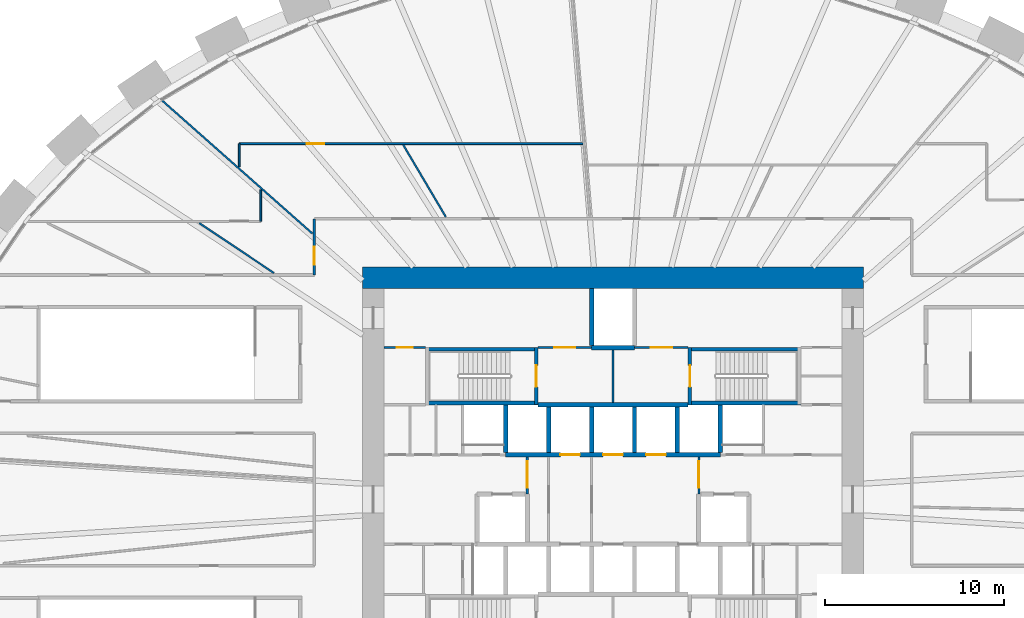
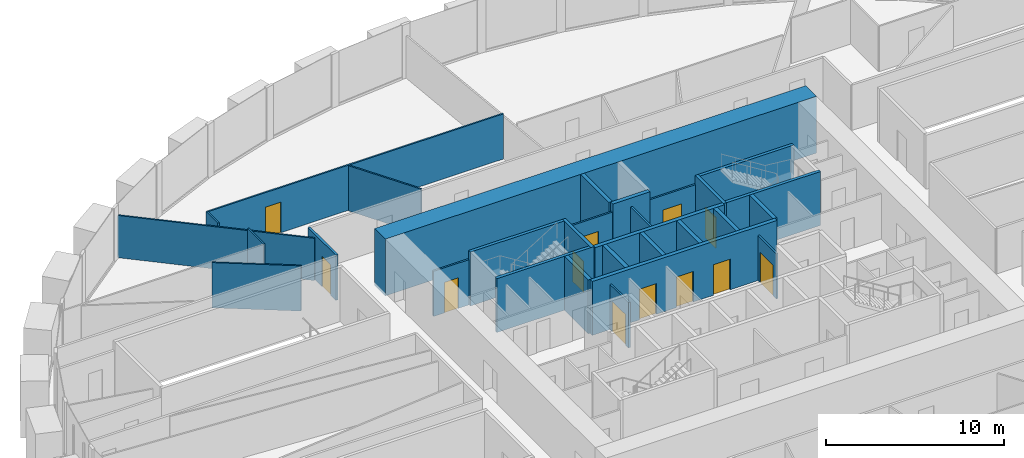
# One storey, part 9 of 12: 30 walls, 12 doors, 12 openings.
"""IFC4 building model written with IfcOpenShell, lengths in metres."""

from ifc_helpers import new_model, si_unit, direction, frame, frame_2d, origin, place, context, subcontext, project, spatial, rectangle, extrude, source, transform, mapped, material, layer, layer_set, type_object, element, fill, save


model = new_model("IFC4")

# Units and contexts
model_context = context("Model", 3, precision=1e-05, world=origin(), true_north=direction((0.0, 1.0)))
body_context = subcontext(model_context, "Body", "Model", "MODEL_VIEW")
ifc_project = project(units=[si_unit("LENGTHUNIT", "METRE"), si_unit("AREAUNIT", "SQUARE_METRE"), si_unit("VOLUMEUNIT", "CUBIC_METRE"), si_unit("PLANEANGLEUNIT", "RADIAN"), si_unit("MASSUNIT", "GRAM", prefix="KILO")], contexts=[model_context])

# Site, building, storey
site_placement = place(None, origin())
site = spatial("IfcSite", under=ifc_project, at=site_placement, CompositionType="ELEMENT")
building_placement = place(site_placement, origin())
building = spatial("IfcBuilding", under=site, at=building_placement, Name="Embergate Tower", CompositionType="ELEMENT")
storey_placement = place(building_placement, frame((0.0, 0.0, 38.0)))
storey = spatial("IfcBuildingStorey", under=building, at=storey_placement, Name="L05", CompositionType="ELEMENT", Elevation=38.0)

# Wall
ifc_material_1 = material(Name="Concrete C80", Category="concrete")
ifc_layer_1 = layer(ifc_material_1, 1.199951171875)
ifc_layer_set_1 = layer_set([ifc_layer_1], Name="Concrete C80")
wall_type_1 = type_object("IfcWallType", Name="Core outer wall C80 1200", PredefinedType="SHEAR", material=ifc_layer_set_1)
shared_shape_1 = source(origin(), body_context, "Body", "SweptSolid", [
    extrude(rectangle(XDim=28.0, YDim=1.199951171875, at=frame_2d((14.0, 0.0))), origin(), (0.0, 0.0, 1.0), 3.89990234375),
])
wall_1_placement = place(storey_placement, frame((-14.0, 12.39990234375, -0.199951171875), z_axis=(0.0, 0.0, 1.0), x_axis=(1.0, 0.0, 0.0)))
element("IfcWall", 1, at=wall_1_placement, inside=storey, type_object=wall_type_1, Name="CW-L05-N", PredefinedType="SHEAR", context=body_context, shape_type="MappedRepresentation", body=[
    mapped(shared_shape_1, transform((0.0, 0.0, 0.0))),
])

# Wall, opening, door
ifc_material_2 = material(Name="Corridor wall dry-lined 150")
ifc_layer_2 = layer(ifc_material_2, 0.14990234375)
ifc_layer_set_2 = layer_set([ifc_layer_2], Name="Corridor wall dry-lined 150")
wall_type_2 = type_object("IfcWallType", Name="Corridor wall dry-lined 150", PredefinedType="PARTITIONING", material=ifc_layer_set_2)
shared_shape_2 = source(origin(), body_context, "Body", "SweptSolid", [
    extrude(rectangle(XDim=3.14990234375, YDim=0.14990234375, at=frame_2d((1.574951171875, 0.0))), origin(), (0.0, 0.0, 1.0), 3.10009765625),
])
wall_2_placement = place(storey_placement, frame((-16.699951171875, 12.550048828125, 0.0), z_axis=(0.0, 0.0, 1.0), x_axis=(0.0, 1.0, 0.0)))
wall_2 = element("IfcWall", 2, at=wall_2_placement, inside=storey, type_object=wall_type_2, Name="IP-2 wall", PredefinedType="PARTITIONING", context=body_context, shape_type="MappedRepresentation", body=[
    mapped(shared_shape_2, transform((0.0, 0.0, 0.0))),
])
shared_shape_3 = source(origin(), body_context, "Body", "SweptSolid", [
    extrude(rectangle(XDim=1.0, YDim=2.10009765625, at=frame_2d((0.5, 1.050048828125))), frame((0.0, 0.0849609375, 0.0), z_axis=(0.0, -1.0, 0.0), x_axis=(1.0, 0.0, 0.0)), (0.0, 0.0, 1.0), 0.169921875),
])
opening_1_placement = place(wall_2_placement, frame((0.587890625, 0.0, 0.0)))
opening_1 = element("IfcOpeningElement", 3, at=opening_1_placement, cuts=wall_2, Name="Opening ID-2", PredefinedType="OPENING", context=body_context, shape_type="MappedRepresentation", body=[
    mapped(shared_shape_3, transform((0.0, 0.0, 0.0))),
])
ifc_material_3 = material(Name="Interior door 1000")
door_type_1 = type_object("IfcDoorType", Name="Interior door 1000", OperationType="SINGLE_SWING_LEFT", PredefinedType="DOOR", material=ifc_material_3)
shared_shape_4 = source(origin(), body_context, "Body", "SweptSolid", [
    extrude(rectangle(XDim=1.0, YDim=2.10009765625, at=frame_2d((0.5, 1.050048828125))), frame((0.0, 0.02490234375, 0.0), z_axis=(0.0, -1.0, 0.0), x_axis=(1.0, 0.0, 0.0)), (0.0, 0.0, 1.0), 0.050048828125),
])
door_1_placement = place(opening_1_placement, origin())
door_1 = element("IfcDoor", 4, at=door_1_placement, inside=storey, type_object=door_type_1, Name="ID-2 door", OperationType="SINGLE_SWING_LEFT", OverallHeight=2.10009765625, OverallWidth=1.0, PredefinedType="DOOR", context=body_context, shape_type="MappedRepresentation", body=[
    mapped(shared_shape_4, transform((0.0, 0.0, 0.0))),
])
fill(opening_1, door_1)

# Wall
ifc_material_4 = material(Name="Partition dry-lined 100")
ifc_layer_3 = layer(ifc_material_4, 0.10009765625)
ifc_layer_set_3 = layer_set([ifc_layer_3], Name="Partition dry-lined 100")
wall_type_3 = type_object("IfcWallType", Name="Partition dry-lined 100", PredefinedType="PARTITIONING", material=ifc_layer_set_3)
shared_shape_5 = source(origin(), body_context, "Body", "SweptSolid", [
    extrude(rectangle(XDim=4.676513671875, YDim=0.10009765625, at=frame_2d((2.33837890625, 0.0))), origin(), (0.0, 0.0, 1.0), 3.10009765625),
])
wall_3_placement = place(storey_placement, frame((-9.347900390625, 15.800048828125, 0.0), z_axis=(0.0, 0.0, 1.0), x_axis=(-0.509165443029, 0.860668665414, 0.0)))
element("IfcWall", 5, at=wall_3_placement, inside=storey, type_object=wall_type_3, Name="IP-1 wall", PredefinedType="PARTITIONING", context=body_context, shape_type="MappedRepresentation", body=[
    mapped(shared_shape_5, transform((0.0, 0.0, 0.0))),
])

# Wall, opening, door
shared_shape_6 = source(origin(), body_context, "Body", "SweptSolid", [
    extrude(rectangle(XDim=19.223876953125, YDim=0.10009765625, at=frame_2d((9.61181640625, 0.0))), origin(), (0.0, 0.0, 1.0), 3.10009765625),
])
wall_4_placement = place(storey_placement, frame((-1.676025390625, 19.89990234375, 0.0), z_axis=(0.0, 0.0, 1.0), x_axis=(-1.0, 0.0, 0.0)))
wall_4 = element("IfcWall", 6, at=wall_4_placement, inside=storey, type_object=wall_type_3, Name="IP-1 wall", PredefinedType="PARTITIONING", context=body_context, shape_type="MappedRepresentation", body=[
    mapped(shared_shape_6, transform((0.0, 0.0, 0.0))),
])
shared_shape_7 = source(origin(), body_context, "Body", "SweptSolid", [
    extrude(rectangle(XDim=1.0, YDim=2.10009765625, at=frame_2d((0.5, 1.050048828125))), frame((0.0, 0.06005859375, 0.0), z_axis=(0.0, -1.0, 0.0), x_axis=(1.0, 0.0, 0.0)), (0.0, 0.0, 1.0), 0.1201171875),
])
opening_2_placement = place(wall_4_placement, frame((14.4619140625, 0.0, 0.0)))
opening_2 = element("IfcOpeningElement", 7, at=opening_2_placement, cuts=wall_4, Name="Opening ID-2", PredefinedType="OPENING", context=body_context, shape_type="MappedRepresentation", body=[
    mapped(shared_shape_7, transform((0.0, 0.0, 0.0))),
])
door_2_placement = place(opening_2_placement, origin())
door_2 = element("IfcDoor", 8, at=door_2_placement, inside=storey, type_object=door_type_1, Name="ID-2 door", OperationType="SINGLE_SWING_LEFT", OverallHeight=2.10009765625, OverallWidth=1.0, PredefinedType="DOOR", context=body_context, shape_type="MappedRepresentation", body=[
    mapped(shared_shape_4, transform((0.0, 0.0, 0.0))),
])
fill(opening_2, door_2)

# Walls
shared_shape_8 = source(origin(), body_context, "Body", "SweptSolid", [
    extrude(rectangle(XDim=1.2958984375, YDim=0.10009765625, at=frame_2d((0.64794921875, 0.0))), origin(), (0.0, 0.0, 1.0), 3.10009765625),
])
wall_5_placement = place(storey_placement, frame((-20.89990234375, 18.60400390625, 0.0), z_axis=(0.0, 0.0, 1.0), x_axis=(0.0, 1.0, 0.0)))
element("IfcWall", 9, at=wall_5_placement, inside=storey, type_object=wall_type_3, Name="IP-1 wall", PredefinedType="PARTITIONING", context=body_context, shape_type="MappedRepresentation", body=[
    mapped(shared_shape_8, transform((0.0, 0.0, 0.0))),
])
shared_shape_9 = source(origin(), body_context, "Body", "SweptSolid", [
    extrude(rectangle(XDim=11.294921875, YDim=0.10009765625, at=frame_2d((5.6474609375, 0.0))), origin(), (0.0, 0.0, 1.0), 2.89990234375),
])
wall_6_placement = place(storey_placement, frame((-25.26708984375, 22.35693359375, 0.0), z_axis=(0.0, 0.0, 1.0), x_axis=(0.748912392945, -0.662669018209, 0.0)))
element("IfcWall", 10, at=wall_6_placement, inside=storey, type_object=wall_type_3, Name="IP-1 wall", PredefinedType="PARTITIONING", context=body_context, shape_type="MappedRepresentation", body=[
    mapped(shared_shape_9, transform((0.0, 0.0, 0.0))),
])
shared_shape_10 = source(origin(), body_context, "Body", "SweptSolid", [
    extrude(rectangle(XDim=5.025390625, YDim=0.10009765625, at=frame_2d((2.5126953125, 0.0))), origin(), (0.0, 0.0, 1.0), 3.10009765625),
])
wall_7_placement = place(storey_placement, frame((-18.9599609375, 12.6669921875, 0.0), z_axis=(0.0, 0.0, 1.0), x_axis=(-0.83158660171, 0.555395106079, 0.0)))
element("IfcWall", 11, at=wall_7_placement, inside=storey, type_object=wall_type_3, Name="IP-1 wall", PredefinedType="PARTITIONING", context=body_context, shape_type="MappedRepresentation", body=[
    mapped(shared_shape_10, transform((0.0, 0.0, 0.0))),
])
shared_shape_11 = source(origin(), body_context, "Body", "SweptSolid", [
    extrude(rectangle(XDim=1.77001953125, YDim=0.10009765625, at=frame_2d((0.885009765625, 0.0))), origin(), (0.0, 0.0, 1.0), 3.10009765625),
])
wall_8_placement = place(storey_placement, frame((-19.699951171875, 15.550048828125, 0.0), z_axis=(0.0, 0.0, 1.0), x_axis=(0.0, 1.0, 0.0)))
element("IfcWall", 12, at=wall_8_placement, inside=storey, type_object=wall_type_3, Name="IP-1 wall", PredefinedType="PARTITIONING", context=body_context, shape_type="MappedRepresentation", body=[
    mapped(shared_shape_11, transform((0.0, 0.0, 0.0))),
])
ifc_material_5 = material(Name="Concrete C50", Category="concrete")
ifc_layer_4 = layer(ifc_material_5, 0.25)
ifc_layer_set_4 = layer_set([ifc_layer_4], Name="Concrete C50")
wall_type_4 = type_object("IfcWallType", Name="Hoistway wall reinforced concrete 250", PredefinedType="SHEAR", material=ifc_layer_set_4)
shared_shape_12 = source(origin(), body_context, "Body", "SweptSolid", [
    extrude(rectangle(XDim=2.675048828125, YDim=0.25, at=frame_2d((1.33740234375, 0.0))), origin(), (0.0, 0.0, 1.0), 3.699951171875),
])
for number, where, z_axis, x_axis, name in (
    (13, (-6.0, 2.625, 0.0), (0.0, 0.0, 1.0), (0.0, 1.0, 0.0), "HW-1 wall"),
    (14, (6.0, 2.625, 0.0), (0.0, 0.0, 1.0), (0.0, 1.0, 0.0), "HW-1 wall"),
):
    element("IfcWall", number, at=place(storey_placement, frame(where, z_axis=z_axis, x_axis=x_axis)), inside=storey, type_object=wall_type_4, Name=name, PredefinedType="SHEAR", context=body_context, shape_type="MappedRepresentation", body=[
        mapped(shared_shape_12, transform((0.0, 0.0, 0.0))),
    ])
ifc_layer_5 = layer(ifc_material_5, 0.199951171875)
ifc_layer_set_5 = layer_set([ifc_layer_5], Name="Concrete C50")
wall_type_5 = type_object("IfcWallType", Name="Stair enclosure wall reinforced concrete 250", PredefinedType="SHEAR", material=ifc_layer_set_5)
shared_shape_13 = source(origin(), body_context, "Body", "SweptSolid", [
    extrude(rectangle(XDim=6.300048828125, YDim=0.199951171875, at=frame_2d((3.14990234375, 0.0))), origin(), (0.0, 0.0, 1.0), 3.699951171875),
])
for number, where, z_axis, x_axis, name in (
    (15, (-4.199951171875, 5.39990234375, 0.0), (0.0, 0.0, 1.0), (-1.0, 0.0, 0.0), "SE-1 wall"),
    (16, (10.5, 5.39990234375, 0.0), (0.0, 0.0, 1.0), (-1.0, 0.0, 0.0), "SE-1 wall"),
    (17, (-4.199951171875, 8.39990234375, 0.0), (0.0, 0.0, 1.0), (-1.0, 0.0, 0.0), "SE-1 wall"),
    (18, (10.5, 8.39990234375, 0.0), (0.0, 0.0, 1.0), (-1.0, 0.0, 0.0), "SE-1 wall"),
):
    element("IfcWall", number, at=place(storey_placement, frame(where, z_axis=z_axis, x_axis=x_axis)), inside=storey, type_object=wall_type_5, Name=name, PredefinedType="SHEAR", context=body_context, shape_type="MappedRepresentation", body=[
        mapped(shared_shape_13, transform((0.0, 0.0, 0.0))),
    ])
shared_shape_14 = source(origin(), body_context, "Body", "SweptSolid", [
    extrude(rectangle(XDim=2.550048828125, YDim=0.25, at=frame_2d((1.27490234375, 0.0))), origin(), (0.0, 0.0, 1.0), 3.699951171875),
])
for number, where, z_axis, x_axis, name in (
    (19, (-3.60009765625, 2.625, 0.0), (0.0, 0.0, 1.0), (0.0, 1.0, 0.0), "HW-1 wall"),
    (20, (-1.199951171875, 2.625, 0.0), (0.0, 0.0, 1.0), (0.0, 1.0, 0.0), "HW-1 wall"),
    (21, (1.199951171875, 2.625, 0.0), (0.0, 0.0, 1.0), (0.0, 1.0, 0.0), "HW-1 wall"),
    (22, (3.60009765625, 2.625, 0.0), (0.0, 0.0, 1.0), (0.0, 1.0, 0.0), "HW-1 wall"),
):
    element("IfcWall", number, at=place(storey_placement, frame(where, z_axis=z_axis, x_axis=x_axis)), inside=storey, type_object=wall_type_4, Name=name, PredefinedType="SHEAR", context=body_context, shape_type="MappedRepresentation", body=[
        mapped(shared_shape_14, transform((0.0, 0.0, 0.0))),
    ])

# Wall, openings, doors
shared_shape_15 = source(origin(), body_context, "Body", "SweptSolid", [
    extrude(rectangle(XDim=12.0, YDim=0.25, at=frame_2d((6.0, 0.0))), origin(), (0.0, 0.0, 1.0), 3.699951171875),
])
wall_9_placement = place(storey_placement, frame((-6.0, 2.5, 0.0), z_axis=(0.0, 0.0, 1.0), x_axis=(1.0, 0.0, 0.0)))
wall_9 = element("IfcWall", 23, at=wall_9_placement, inside=storey, type_object=wall_type_4, Name="HW-1 wall", PredefinedType="SHEAR", context=body_context, shape_type="MappedRepresentation", body=[
    mapped(shared_shape_15, transform((0.0, 0.0, 0.0))),
])
shared_shape_16 = source(origin(), body_context, "Body", "SweptSolid", [
    extrude(rectangle(XDim=1.10009765625, YDim=2.10009765625, at=frame_2d((0.550048828125, 1.050048828125))), frame((0.0, 0.135009765625, 0.0), z_axis=(0.0, -1.0, 0.0), x_axis=(1.0, 0.0, 0.0)), (0.0, 0.0, 1.0), 0.27001953125),
])
opening_3_placement = place(wall_9_placement, frame((3.050048828125, 0.0, 0.0)))
opening_3 = element("IfcOpeningElement", 24, at=opening_3_placement, cuts=wall_9, Name="Opening LD", PredefinedType="OPENING", context=body_context, shape_type="MappedRepresentation", body=[
    mapped(shared_shape_16, transform((0.0, 0.0, 0.0))),
])
opening_4_placement = place(wall_9_placement, frame((5.449951171875, 0.0, 0.0)))
opening_4 = element("IfcOpeningElement", 25, at=opening_4_placement, cuts=wall_9, Name="Opening LD", PredefinedType="OPENING", context=body_context, shape_type="MappedRepresentation", body=[
    mapped(shared_shape_16, transform((0.0, 0.0, 0.0))),
])
opening_5_placement = place(wall_9_placement, frame((7.85009765625, 0.0, 0.0)))
opening_5 = element("IfcOpeningElement", 26, at=opening_5_placement, cuts=wall_9, Name="Opening LD", PredefinedType="OPENING", context=body_context, shape_type="MappedRepresentation", body=[
    mapped(shared_shape_16, transform((0.0, 0.0, 0.0))),
])
ifc_material_6 = material(Name="Landing door sliding 1100")
door_type_2 = type_object("IfcDoorType", Name="Landing door sliding 1100", OperationType="SLIDING_TO_LEFT", PredefinedType="DOOR", material=ifc_material_6)
shared_shape_17 = source(origin(), body_context, "Body", "SweptSolid", [
    extrude(rectangle(XDim=1.10009765625, YDim=2.10009765625, at=frame_2d((0.550048828125, 1.050048828125))), frame((0.0, 0.02490234375, 0.0), z_axis=(0.0, -1.0, 0.0), x_axis=(1.0, 0.0, 0.0)), (0.0, 0.0, 1.0), 0.050048828125),
])
door_3_placement = place(opening_3_placement, origin())
door_3 = element("IfcDoor", 27, at=door_3_placement, inside=storey, type_object=door_type_2, Name="LD door", OperationType="SLIDING_TO_RIGHT", OverallHeight=2.10009765625, OverallWidth=1.10009765625, PredefinedType="DOOR", context=body_context, shape_type="MappedRepresentation", body=[
    mapped(shared_shape_17, transform((0.0, 0.0, 0.0))),
])
fill(opening_3, door_3)
door_4_placement = place(opening_4_placement, origin())
door_4 = element("IfcDoor", 28, at=door_4_placement, inside=storey, type_object=door_type_2, Name="LD door", OperationType="SLIDING_TO_RIGHT", OverallHeight=2.10009765625, OverallWidth=1.10009765625, PredefinedType="DOOR", context=body_context, shape_type="MappedRepresentation", body=[
    mapped(shared_shape_17, transform((0.0, 0.0, 0.0))),
])
fill(opening_4, door_4)
door_5_placement = place(opening_5_placement, origin())
door_5 = element("IfcDoor", 29, at=door_5_placement, inside=storey, type_object=door_type_2, Name="LD door", OperationType="SLIDING_TO_RIGHT", OverallHeight=2.10009765625, OverallWidth=1.10009765625, PredefinedType="DOOR", context=body_context, shape_type="MappedRepresentation", body=[
    mapped(shared_shape_17, transform((0.0, 0.0, 0.0))),
])
fill(opening_5, door_5)

# Wall
shared_shape_18 = source(origin(), body_context, "Body", "SweptSolid", [
    extrude(rectangle(XDim=8.39990234375, YDim=0.25, at=frame_2d((4.199951171875, 0.0))), origin(), (0.0, 0.0, 1.0), 3.699951171875),
])
wall_10_placement = place(storey_placement, frame((4.199951171875, 5.300048828125, 0.0), z_axis=(0.0, 0.0, 1.0), x_axis=(-1.0, 0.0, 0.0)))
element("IfcWall", 30, at=wall_10_placement, inside=storey, type_object=wall_type_4, Name="HW-1 wall", PredefinedType="SHEAR", context=body_context, shape_type="MappedRepresentation", body=[
    mapped(shared_shape_18, transform((0.0, 0.0, 0.0))),
])

# Wall, opening, door
ifc_material_7 = material(Name="Core partition blockwork 120")
ifc_layer_6 = layer(ifc_material_7, 0.1201171875)
ifc_layer_set_6 = layer_set([ifc_layer_6], Name="Core partition blockwork 120")
wall_type_6 = type_object("IfcWallType", Name="Core partition blockwork 120", PredefinedType="PARTITIONING", material=ifc_layer_set_6)
shared_shape_19 = source(origin(), body_context, "Body", "SweptSolid", [
    extrude(rectangle(XDim=2.074951171875, YDim=0.1201171875, at=frame_2d((1.03759765625, 0.0))), origin(), (0.0, 0.0, 1.0), 3.10009765625),
])
wall_11_placement = place(storey_placement, frame((-4.800048828125, 2.375, 0.0), z_axis=(0.0, 0.0, 1.0), x_axis=(0.0, -1.0, 0.0)))
wall_11 = element("IfcWall", 31, at=wall_11_placement, inside=storey, type_object=wall_type_6, Name="IP-3 wall", PredefinedType="PARTITIONING", context=body_context, shape_type="MappedRepresentation", body=[
    mapped(shared_shape_19, transform((0.0, 0.0, 0.0))),
])
shared_shape_20 = source(origin(), body_context, "Body", "SweptSolid", [
    extrude(rectangle(XDim=1.5, YDim=2.10009765625, at=frame_2d((0.75, 1.050048828125))), frame((0.0, 0.070068359375, 0.0), z_axis=(0.0, -1.0, 0.0), x_axis=(1.0, 0.0, 0.0)), (0.0, 0.0, 1.0), 0.14013671875),
])
opening_6_placement = place(wall_11_placement, frame((0.22509765625, 0.0, 0.0)))
opening_6 = element("IfcOpeningElement", 32, at=opening_6_placement, cuts=wall_11, Name="Opening IF-3", PredefinedType="OPENING", context=body_context, shape_type="MappedRepresentation", body=[
    mapped(shared_shape_20, transform((0.0, 0.0, 0.0))),
])
ifc_material_8 = material(Name="Lobby fire door pair 1500")
door_type_3 = type_object("IfcDoorType", Name="Lobby fire door pair 1500", OperationType="DOUBLE_DOOR_SINGLE_SWING", PredefinedType="DOOR", material=ifc_material_8)
shared_shape_21 = source(origin(), body_context, "Body", "SweptSolid", [
    extrude(rectangle(XDim=1.5, YDim=2.10009765625, at=frame_2d((0.75, 1.050048828125))), frame((0.0, 0.02490234375, 0.0), z_axis=(0.0, -1.0, 0.0), x_axis=(1.0, 0.0, 0.0)), (0.0, 0.0, 1.0), 0.050048828125),
])
door_6_placement = place(opening_6_placement, origin())
door_6 = element("IfcDoor", 33, at=door_6_placement, inside=storey, type_object=door_type_3, Name="IF-3 door", OperationType="DOUBLE_DOOR_SINGLE_SWING", OverallHeight=2.10009765625, OverallWidth=1.5, PredefinedType="DOOR", context=body_context, shape_type="MappedRepresentation", body=[
    mapped(shared_shape_21, transform((0.0, 0.0, 0.0))),
])
fill(opening_6, door_6)

wall_12_placement = place(storey_placement, frame((4.800048828125, 0.300048828125, 0.0), z_axis=(0.0, 0.0, 1.0), x_axis=(0.0, 1.0, 0.0)))
wall_12 = element("IfcWall", 34, at=wall_12_placement, inside=storey, type_object=wall_type_6, Name="IP-3 wall", PredefinedType="PARTITIONING", context=body_context, shape_type="MappedRepresentation", body=[
    mapped(shared_shape_19, transform((0.0, 0.0, 0.0))),
])
opening_7_placement = place(wall_12_placement, frame((0.35009765625, 0.0, 0.0)))
opening_7 = element("IfcOpeningElement", 35, at=opening_7_placement, cuts=wall_12, Name="Opening IF-3", PredefinedType="OPENING", context=body_context, shape_type="MappedRepresentation", body=[
    mapped(shared_shape_20, transform((0.0, 0.0, 0.0))),
])
door_7_placement = place(opening_7_placement, origin())
door_7 = element("IfcDoor", 36, at=door_7_placement, inside=storey, type_object=door_type_3, Name="IF-3 door", OperationType="DOUBLE_DOOR_SINGLE_SWING", OverallHeight=2.10009765625, OverallWidth=1.5, PredefinedType="DOOR", context=body_context, shape_type="MappedRepresentation", body=[
    mapped(shared_shape_21, transform((0.0, 0.0, 0.0))),
])
fill(opening_7, door_7)

shared_shape_22 = source(origin(), body_context, "Body", "SweptSolid", [
    extrude(rectangle(XDim=3.199951171875, YDim=0.199951171875, at=frame_2d((1.60009765625, 0.0))), origin(), (0.0, 0.0, 1.0), 3.699951171875),
])
wall_13_placement = place(storey_placement, frame((-4.300048828125, 5.300048828125, 0.0), z_axis=(0.0, 0.0, 1.0), x_axis=(0.0, 1.0, 0.0)))
wall_13 = element("IfcWall", 37, at=wall_13_placement, inside=storey, type_object=wall_type_5, Name="SE-1 wall", PredefinedType="SHEAR", context=body_context, shape_type="MappedRepresentation", body=[
    mapped(shared_shape_22, transform((0.0, 0.0, 0.0))),
])
shared_shape_23 = source(origin(), body_context, "Body", "SweptSolid", [
    extrude(rectangle(XDim=1.199951171875, YDim=2.10009765625, at=frame_2d((0.60009765625, 1.050048828125))), frame((0.0, 0.10986328125, 0.0), z_axis=(0.0, -1.0, 0.0), x_axis=(1.0, 0.0, 0.0)), (0.0, 0.0, 1.0), 0.219970703125),
])
opening_8_placement = place(wall_13_placement, frame((1.0, 0.0, 0.0)))
opening_8 = element("IfcOpeningElement", 38, at=opening_8_placement, cuts=wall_13, Name="Opening IF-2", PredefinedType="OPENING", context=body_context, shape_type="MappedRepresentation", body=[
    mapped(shared_shape_23, transform((0.0, 0.0, 0.0))),
])
ifc_material_9 = material(Name="Stair enclosure door 1200")
door_type_4 = type_object("IfcDoorType", Name="Stair enclosure door 1200", OperationType="SINGLE_SWING_LEFT", PredefinedType="DOOR", material=ifc_material_9)
shared_shape_24 = source(origin(), body_context, "Body", "SweptSolid", [
    extrude(rectangle(XDim=1.199951171875, YDim=2.10009765625, at=frame_2d((0.60009765625, 1.050048828125))), frame((0.0, 0.02490234375, 0.0), z_axis=(0.0, -1.0, 0.0), x_axis=(1.0, 0.0, 0.0)), (0.0, 0.0, 1.0), 0.050048828125),
])
door_8_placement = place(opening_8_placement, origin())
door_8 = element("IfcDoor", 39, at=door_8_placement, inside=storey, type_object=door_type_4, Name="IF-2 door", OperationType="SINGLE_SWING_RIGHT", OverallHeight=2.10009765625, OverallWidth=1.199951171875, PredefinedType="DOOR", context=body_context, shape_type="MappedRepresentation", body=[
    mapped(shared_shape_24, transform((0.0, 0.0, 0.0))),
])
fill(opening_8, door_8)

wall_14_placement = place(storey_placement, frame((4.300048828125, 8.5, 0.0), z_axis=(0.0, 0.0, 1.0), x_axis=(0.0, -1.0, 0.0)))
wall_14 = element("IfcWall", 40, at=wall_14_placement, inside=storey, type_object=wall_type_5, Name="SE-1 wall", PredefinedType="SHEAR", context=body_context, shape_type="MappedRepresentation", body=[
    mapped(shared_shape_22, transform((0.0, 0.0, 0.0))),
])
opening_9_placement = place(wall_14_placement, frame((1.0, 0.0, 0.0)))
opening_9 = element("IfcOpeningElement", 41, at=opening_9_placement, cuts=wall_14, Name="Opening IF-2", PredefinedType="OPENING", context=body_context, shape_type="MappedRepresentation", body=[
    mapped(shared_shape_23, transform((0.0, 0.0, 0.0))),
])
door_9_placement = place(opening_9_placement, origin())
door_9 = element("IfcDoor", 42, at=door_9_placement, inside=storey, type_object=door_type_4, Name="IF-2 door", OperationType="SINGLE_SWING_LEFT", OverallHeight=2.10009765625, OverallWidth=1.199951171875, PredefinedType="DOOR", context=body_context, shape_type="MappedRepresentation", body=[
    mapped(shared_shape_24, transform((0.0, 0.0, 0.0))),
])
fill(opening_9, door_9)

# Wall
shared_shape_25 = source(origin(), body_context, "Body", "SweptSolid", [
    extrude(rectangle(XDim=2.949951171875, YDim=0.1201171875, at=frame_2d((1.47509765625, 0.0))), origin(), (0.0, 0.0, 1.0), 3.10009765625),
])
wall_15_placement = place(storey_placement, frame((0.0, 5.425048828125, 0.0), z_axis=(0.0, 0.0, 1.0), x_axis=(0.0, 1.0, 0.0)))
element("IfcWall", 43, at=wall_15_placement, inside=storey, type_object=wall_type_6, Name="IP-3 wall", PredefinedType="PARTITIONING", context=body_context, shape_type="MappedRepresentation", body=[
    mapped(shared_shape_25, transform((0.0, 0.0, 0.0))),
])

# Wall, opening, door
shared_shape_26 = source(origin(), body_context, "Body", "SweptSolid", [
    extrude(rectangle(XDim=3.0, YDim=0.1201171875, at=frame_2d((1.5, 0.0))), origin(), (0.0, 0.0, 1.0), 3.10009765625),
])
wall_16_placement = place(storey_placement, frame((-1.199951171875, 8.5, 0.0), z_axis=(0.0, 0.0, 1.0), x_axis=(-1.0, 0.0, 0.0)))
wall_16 = element("IfcWall", 44, at=wall_16_placement, inside=storey, type_object=wall_type_6, Name="IP-3 wall", PredefinedType="PARTITIONING", context=body_context, shape_type="MappedRepresentation", body=[
    mapped(shared_shape_26, transform((0.0, 0.0, 0.0))),
])
shared_shape_27 = source(origin(), body_context, "Body", "SweptSolid", [
    extrude(rectangle(XDim=1.199951171875, YDim=2.10009765625, at=frame_2d((0.60009765625, 1.050048828125))), frame((0.0, 0.070068359375, 0.0), z_axis=(0.0, -1.0, 0.0), x_axis=(1.0, 0.0, 0.0)), (0.0, 0.0, 1.0), 0.14013671875),
])
opening_10_placement = place(wall_16_placement, frame((0.89990234375, 0.0, 0.0)))
opening_10 = element("IfcOpeningElement", 45, at=opening_10_placement, cuts=wall_16, Name="Opening IF-3f", PredefinedType="OPENING", context=body_context, shape_type="MappedRepresentation", body=[
    mapped(shared_shape_27, transform((0.0, 0.0, 0.0))),
])
ifc_material_10 = material(Name="Lobby fire door pair 1200")
door_type_5 = type_object("IfcDoorType", Name="Lobby fire door pair 1200", OperationType="DOUBLE_DOOR_SINGLE_SWING", PredefinedType="DOOR", material=ifc_material_10)
door_10_placement = place(opening_10_placement, origin())
door_10 = element("IfcDoor", 46, at=door_10_placement, inside=storey, type_object=door_type_5, Name="IF-3 door", OperationType="DOUBLE_DOOR_SINGLE_SWING", OverallHeight=2.10009765625, OverallWidth=1.199951171875, PredefinedType="DOOR", context=body_context, shape_type="MappedRepresentation", body=[
    mapped(shared_shape_24, transform((0.0, 0.0, 0.0))),
])
fill(opening_10, door_10)

wall_17_placement = place(storey_placement, frame((4.199951171875, 8.5, 0.0), z_axis=(0.0, 0.0, 1.0), x_axis=(-1.0, 0.0, 0.0)))
wall_17 = element("IfcWall", 47, at=wall_17_placement, inside=storey, type_object=wall_type_6, Name="IP-3 wall", PredefinedType="PARTITIONING", context=body_context, shape_type="MappedRepresentation", body=[
    mapped(shared_shape_26, transform((0.0, 0.0, 0.0))),
])
opening_11_placement = place(wall_17_placement, frame((0.89990234375, 0.0, 0.0)))
opening_11 = element("IfcOpeningElement", 48, at=opening_11_placement, cuts=wall_17, Name="Opening IF-3f", PredefinedType="OPENING", context=body_context, shape_type="MappedRepresentation", body=[
    mapped(shared_shape_27, transform((0.0, 0.0, 0.0))),
])
door_11_placement = place(opening_11_placement, origin())
door_11 = element("IfcDoor", 49, at=door_11_placement, inside=storey, type_object=door_type_5, Name="IF-3 door", OperationType="DOUBLE_DOOR_SINGLE_SWING", OverallHeight=2.10009765625, OverallWidth=1.199951171875, PredefinedType="DOOR", context=body_context, shape_type="MappedRepresentation", body=[
    mapped(shared_shape_24, transform((0.0, 0.0, 0.0))),
])
fill(opening_11, door_11)

# Walls
shared_shape_28 = source(origin(), body_context, "Body", "SweptSolid", [
    extrude(rectangle(XDim=2.39990234375, YDim=0.25, at=frame_2d((1.199951171875, 0.0))), origin(), (0.0, 0.0, 1.0), 3.699951171875),
])
wall_18_placement = place(storey_placement, frame((1.199951171875, 8.5, 0.0), z_axis=(0.0, 0.0, 1.0), x_axis=(-1.0, 0.0, 0.0)))
element("IfcWall", 50, at=wall_18_placement, inside=storey, type_object=wall_type_4, Name="HW-1 wall", PredefinedType="SHEAR", context=body_context, shape_type="MappedRepresentation", body=[
    mapped(shared_shape_28, transform((0.0, 0.0, 0.0))),
])
shared_shape_29 = source(origin(), body_context, "Body", "SweptSolid", [
    extrude(rectangle(XDim=3.175048828125, YDim=0.25, at=frame_2d((1.58740234375, 0.0))), origin(), (0.0, 0.0, 1.0), 3.699951171875),
])
wall_19_placement = place(storey_placement, frame((-1.199951171875, 8.625, 0.0), z_axis=(0.0, 0.0, 1.0), x_axis=(0.0, 1.0, 0.0)))
element("IfcWall", 51, at=wall_19_placement, inside=storey, type_object=wall_type_4, Name="HW-1 wall", PredefinedType="SHEAR", context=body_context, shape_type="MappedRepresentation", body=[
    mapped(shared_shape_29, transform((0.0, 0.0, 0.0))),
])

# Wall, opening, door
shared_shape_30 = source(origin(), body_context, "Body", "SweptSolid", [
    extrude(rectangle(XDim=2.300048828125, YDim=0.1201171875, at=frame_2d((1.14990234375, 0.0))), origin(), (0.0, 0.0, 1.0), 3.10009765625),
])
wall_20_placement = place(storey_placement, frame((-12.800048828125, 8.5, 0.0), z_axis=(0.0, 0.0, 1.0), x_axis=(1.0, 0.0, 0.0)))
wall_20 = element("IfcWall", 52, at=wall_20_placement, inside=storey, type_object=wall_type_6, Name="IP-3 wall", PredefinedType="PARTITIONING", context=body_context, shape_type="MappedRepresentation", body=[
    mapped(shared_shape_30, transform((0.0, 0.0, 0.0))),
])
shared_shape_31 = source(origin(), body_context, "Body", "SweptSolid", [
    extrude(rectangle(XDim=0.89990234375, YDim=2.10009765625, at=frame_2d((0.449951171875, 1.050048828125))), frame((0.0, 0.070068359375, 0.0), z_axis=(0.0, -1.0, 0.0), x_axis=(1.0, 0.0, 0.0)), (0.0, 0.0, 1.0), 0.14013671875),
])
opening_12_placement = place(wall_20_placement, frame((0.699951171875, 0.0, 0.0)))
opening_12 = element("IfcOpeningElement", 53, at=opening_12_placement, cuts=wall_20, Name="Opening ID-1", PredefinedType="OPENING", context=body_context, shape_type="MappedRepresentation", body=[
    mapped(shared_shape_31, transform((0.0, 0.0, 0.0))),
])
ifc_material_11 = material(Name="Interior door 900")
door_type_6 = type_object("IfcDoorType", Name="Interior door 900", OperationType="SINGLE_SWING_LEFT", PredefinedType="DOOR", material=ifc_material_11)
shared_shape_32 = source(origin(), body_context, "Body", "SweptSolid", [
    extrude(rectangle(XDim=0.89990234375, YDim=2.10009765625, at=frame_2d((0.449951171875, 1.050048828125))), frame((0.0, 0.02490234375, 0.0), z_axis=(0.0, -1.0, 0.0), x_axis=(1.0, 0.0, 0.0)), (0.0, 0.0, 1.0), 0.050048828125),
])
door_12_placement = place(opening_12_placement, origin())
door_12 = element("IfcDoor", 54, at=door_12_placement, inside=storey, type_object=door_type_6, Name="ID-1 door", OperationType="SINGLE_SWING_RIGHT", OverallHeight=2.10009765625, OverallWidth=0.89990234375, PredefinedType="DOOR", context=body_context, shape_type="MappedRepresentation", body=[
    mapped(shared_shape_32, transform((0.0, 0.0, 0.0))),
])
fill(opening_12, door_12)

save(model, "model.ifc")
